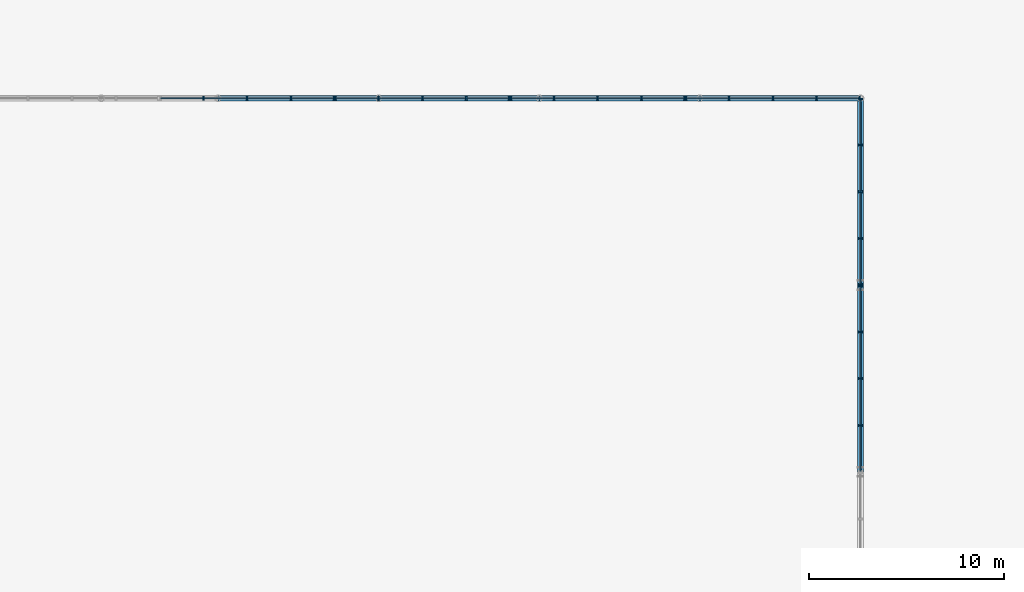
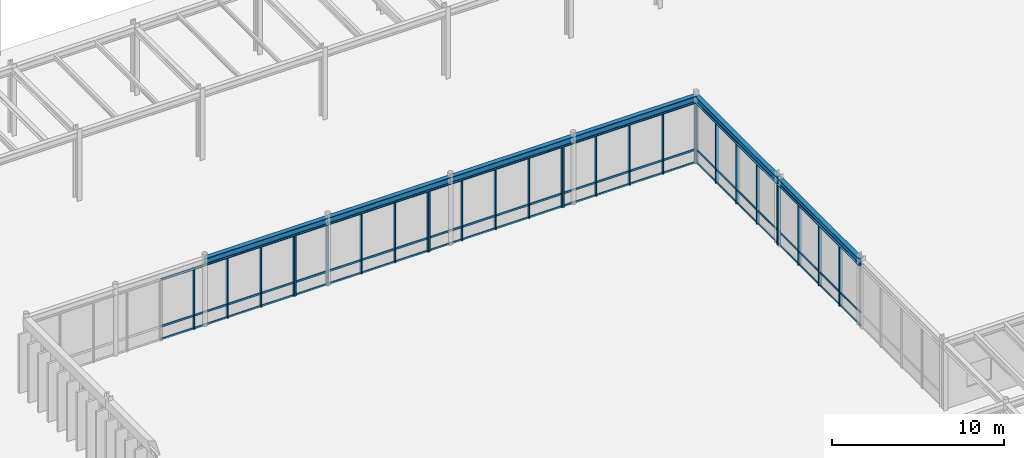
# One storey, part 26 of 64: 46 members, 6 beams, 6 elements without a shape of their own.
"""IFC4 building model written with IfcOpenShell, lengths in metres."""

from ifc_helpers import new_model, si_unit, direction, frame, origin, origin_2d, place, context, subcontext, project, spatial, rectangle, i_section, extrude, material, layer, layer_set, material_profile, profile_set, type_object, element, aggregate, save


model = new_model("IFC4")

# Units and contexts
model_context = context("Model", 3, precision=1e-05, world=origin(), true_north=direction((0.0, 1.0)))
body_context = subcontext(model_context, "Body", "Model", "MODEL_VIEW")
ifc_project = project(units=[si_unit("LENGTHUNIT", "METRE"), si_unit("AREAUNIT", "SQUARE_METRE"), si_unit("VOLUMEUNIT", "CUBIC_METRE"), si_unit("PLANEANGLEUNIT", "RADIAN"), si_unit("MASSUNIT", "GRAM", prefix="KILO")], contexts=[model_context])

# Site, building, storey
site_placement = place(None, origin())
site = spatial("IfcSite", under=ifc_project, at=site_placement, CompositionType="ELEMENT")
building_placement = place(site_placement, origin())
building = spatial("IfcBuilding", under=site, at=building_placement, Name="Montealbar Specialist Clinic", CompositionType="ELEMENT")
storey_placement = place(building_placement, origin())
storey = spatial("IfcBuildingStorey", under=building, at=storey_placement, Name="L00", CompositionType="ELEMENT", Elevation=0.0)

# Beams
ifc_material_1 = material(Name="Steel S355", Category="steel")
ifc_material_profile_1 = material_profile(ifc_material_1, i_section(OverallWidth=0.300048828125, OverallDepth=0.5, WebThickness=0.014404296875, FlangeThickness=0.028076171875, FilletRadius=0.027099609375, at=origin_2d()), Name="HEB 500", Category="steel")
ifc_profile_set_1 = profile_set([ifc_material_profile_1], Name="Steel S355")
beam_type = type_object("IfcBeamType", Name="BM-GIRD-HEB500-EXT", PredefinedType="BEAM", material=ifc_profile_set_1)
for number, where, z_axis, x_axis, name in (
    (1, (66.0, 81.0, 4.56005859375), (1.0, 0.0, 0.0), (0.0, 1.0, 0.0), "Beam GX-L00-660-742-810"),
    (2, (74.25, 81.0, 4.56005859375), (1.0, 0.0, 0.0), (0.0, 1.0, 0.0), "Beam GX-L00-742-825-810"),
    (3, (82.5, 81.0, 4.56005859375), (1.0, 0.0, 0.0), (0.0, 1.0, 0.0), "Beam GX-L00-825-908-810"),
    (4, (90.75, 81.0, 4.56005859375), (1.0, 0.0, 0.0), (0.0, 1.0, 0.0), "Beam GX-L00-908-990-810"),
):
    element("IfcBeam", number, at=place(storey_placement, frame(where, z_axis=z_axis, x_axis=x_axis)), inside=storey, type_object=beam_type, Name=name, PredefinedType="BEAM", context=body_context, shape_type="SweptSolid", body=[
        extrude(i_section(OverallWidth=0.300048828125, OverallDepth=0.5, WebThickness=0.014404296875, FlangeThickness=0.028076171875, FilletRadius=0.027099609375, at=origin_2d()), origin(), (0.0, 0.0, 1.0), 8.25),
    ])
beam_1_placement = place(storey_placement, frame((99.0, 61.800048828125, 4.56005859375), z_axis=(0.0, 1.0, 0.0), x_axis=(-1.0, 0.0, 0.0)))
element("IfcBeam", 5, at=beam_1_placement, inside=storey, type_object=beam_type, Name="Beam GY-L00-990-618-714", PredefinedType="BEAM", context=body_context, shape_type="SweptSolid", body=[
    extrude(i_section(OverallWidth=0.300048828125, OverallDepth=0.5, WebThickness=0.014404296875, FlangeThickness=0.028076171875, FilletRadius=0.027099609375, at=origin_2d()), origin(), (0.0, 0.0, 1.0), 9.599853515625),
])
beam_2_placement = place(storey_placement, frame((99.0, 71.39990234375, 4.56005859375), z_axis=(0.0, 1.0, 0.0), x_axis=(-1.0, 0.0, 0.0)))
element("IfcBeam", 6, at=beam_2_placement, inside=storey, type_object=beam_type, Name="Beam GY-L00-990-714-810", PredefinedType="BEAM", context=body_context, shape_type="SweptSolid", body=[
    extrude(i_section(OverallWidth=0.300048828125, OverallDepth=0.5, WebThickness=0.014404296875, FlangeThickness=0.028076171875, FilletRadius=0.027099609375, at=origin_2d()), origin(), (0.0, 0.0, 1.0), 9.60009765625),
])

# Curtain wall, members
ifc_material_2 = material(Name="Low-E double glazing", Category="glass")
ifc_layer_1 = layer(ifc_material_2, 0.199951171875, Name="Low-E double glazing", Category="glass")
ifc_layer_set_1 = layer_set([ifc_layer_1], Name="Low-E double glazing")
curtain_wall_type_1 = type_object("IfcCurtainWallType", Name="CW-TYPE-02", PredefinedType="NOTDEFINED", material=ifc_layer_set_1)
curtain_wall_1_placement = place(storey_placement, origin())
curtain_wall_1 = element("IfcCurtainWall", 7, at=curtain_wall_1_placement, inside=storey, type_object=curtain_wall_type_1, Name="Unitised Curtain Wall CW-L00-630-810-720-810-0", PredefinedType="NOTDEFINED")
ifc_material_3 = material(Name="Anodised aluminium EN AW-6063", Category="aluminium")
ifc_material_profile_2 = material_profile(ifc_material_3, rectangle(XDim=0.080078125, YDim=0.219970703125, at=origin_2d()), Name="ALU 80x220", Category="aluminium")
ifc_profile_set_2 = profile_set([ifc_material_profile_2], Name="Anodised aluminium EN AW-6063")
member_type_1 = type_object("IfcMemberType", Name="CW-MUL-220", PredefinedType="MULLION", material=ifc_profile_set_2)
member_1_placement = place(storey_placement, frame((65.25, 81.0, 0.0), z_axis=(0.0, 0.0, 1.0), x_axis=(1.0, 0.0, 0.0)))
member_1 = element("IfcMember", 8, at=member_1_placement, type_object=member_type_1, Name="Curtain Wall Mullion CW-L00-630-810-720-810-0-01", PredefinedType="MULLION", context=body_context, shape_type="SweptSolid", body=[
    extrude(rectangle(XDim=0.080078125, YDim=0.219970703125, at=origin_2d()), origin(), (0.0, 0.0, 1.0), 4.31005859375),
])
member_2_placement = place(storey_placement, frame((67.5, 81.0, 0.0), z_axis=(0.0, 0.0, 1.0), x_axis=(1.0, 0.0, 0.0)))
member_2 = element("IfcMember", 9, at=member_2_placement, type_object=member_type_1, Name="Curtain Wall Mullion CW-L00-630-810-720-810-0-02", PredefinedType="MULLION", context=body_context, shape_type="SweptSolid", body=[
    extrude(rectangle(XDim=0.080078125, YDim=0.219970703125, at=origin_2d()), origin(), (0.0, 0.0, 1.0), 4.31005859375),
])
member_3_placement = place(storey_placement, frame((69.75, 81.0, 0.0), z_axis=(0.0, 0.0, 1.0), x_axis=(1.0, 0.0, 0.0)))
member_3 = element("IfcMember", 10, at=member_3_placement, type_object=member_type_1, Name="Curtain Wall Mullion CW-L00-630-810-720-810-0-03", PredefinedType="MULLION", context=body_context, shape_type="SweptSolid", body=[
    extrude(rectangle(XDim=0.080078125, YDim=0.219970703125, at=origin_2d()), origin(), (0.0, 0.0, 1.0), 4.31005859375),
])
member_4_placement = place(storey_placement, frame((71.955078125, 81.0, 0.0), z_axis=(0.0, 0.0, 1.0), x_axis=(1.0, 0.0, 0.0)))
member_4 = element("IfcMember", 11, at=member_4_placement, type_object=member_type_1, Name="Curtain Wall Mullion CW-L00-630-810-720-810-0-04", PredefinedType="MULLION", context=body_context, shape_type="SweptSolid", body=[
    extrude(rectangle(XDim=0.080078125, YDim=0.219970703125, at=origin_2d()), origin(), (0.0, 0.0, 1.0), 4.31005859375),
])

curtain_wall_2_placement = place(storey_placement, origin())
curtain_wall_2 = element("IfcCurtainWall", 12, at=curtain_wall_2_placement, inside=storey, type_object=curtain_wall_type_1, Name="Unitised Curtain Wall CW-L00-720-810-810-810-0", PredefinedType="NOTDEFINED")
member_5_placement = place(storey_placement, frame((72.044921875, 81.0, 0.0), z_axis=(0.0, 0.0, 1.0), x_axis=(1.0, 0.0, 0.0)))
member_5 = element("IfcMember", 13, at=member_5_placement, type_object=member_type_1, Name="Curtain Wall Mullion CW-L00-720-810-810-810-0-00", PredefinedType="MULLION", context=body_context, shape_type="SweptSolid", body=[
    extrude(rectangle(XDim=0.080078125, YDim=0.219970703125, at=origin_2d()), origin(), (0.0, 0.0, 1.0), 4.31005859375),
])
member_6_placement = place(storey_placement, frame((74.25, 81.0, 0.0), z_axis=(0.0, 0.0, 1.0), x_axis=(1.0, 0.0, 0.0)))
member_6 = element("IfcMember", 14, at=member_6_placement, type_object=member_type_1, Name="Curtain Wall Mullion CW-L00-720-810-810-810-0-01", PredefinedType="MULLION", context=body_context, shape_type="SweptSolid", body=[
    extrude(rectangle(XDim=0.080078125, YDim=0.219970703125, at=origin_2d()), origin(), (0.0, 0.0, 1.0), 4.31005859375),
])
member_7_placement = place(storey_placement, frame((76.5, 81.0, 0.0), z_axis=(0.0, 0.0, 1.0), x_axis=(1.0, 0.0, 0.0)))
member_7 = element("IfcMember", 15, at=member_7_placement, type_object=member_type_1, Name="Curtain Wall Mullion CW-L00-720-810-810-810-0-02", PredefinedType="MULLION", context=body_context, shape_type="SweptSolid", body=[
    extrude(rectangle(XDim=0.080078125, YDim=0.219970703125, at=origin_2d()), origin(), (0.0, 0.0, 1.0), 4.31005859375),
])
member_8_placement = place(storey_placement, frame((78.75, 81.0, 0.0), z_axis=(0.0, 0.0, 1.0), x_axis=(1.0, 0.0, 0.0)))
member_8 = element("IfcMember", 16, at=member_8_placement, type_object=member_type_1, Name="Curtain Wall Mullion CW-L00-720-810-810-810-0-03", PredefinedType="MULLION", context=body_context, shape_type="SweptSolid", body=[
    extrude(rectangle(XDim=0.080078125, YDim=0.219970703125, at=origin_2d()), origin(), (0.0, 0.0, 1.0), 4.31005859375),
])
member_9_placement = place(storey_placement, frame((80.955078125, 81.0, 0.0), z_axis=(0.0, 0.0, 1.0), x_axis=(1.0, 0.0, 0.0)))
member_9 = element("IfcMember", 17, at=member_9_placement, type_object=member_type_1, Name="Curtain Wall Mullion CW-L00-720-810-810-810-0-04", PredefinedType="MULLION", context=body_context, shape_type="SweptSolid", body=[
    extrude(rectangle(XDim=0.080078125, YDim=0.219970703125, at=origin_2d()), origin(), (0.0, 0.0, 1.0), 4.31005859375),
])

curtain_wall_3_placement = place(storey_placement, origin())
curtain_wall_3 = element("IfcCurtainWall", 18, at=curtain_wall_3_placement, inside=storey, type_object=curtain_wall_type_1, Name="Unitised Curtain Wall CW-L00-810-810-900-810-0", PredefinedType="NOTDEFINED")
member_10_placement = place(storey_placement, frame((81.044921875, 81.0, 0.0), z_axis=(0.0, 0.0, 1.0), x_axis=(1.0, 0.0, 0.0)))
member_10 = element("IfcMember", 19, at=member_10_placement, type_object=member_type_1, Name="Curtain Wall Mullion CW-L00-810-810-900-810-0-00", PredefinedType="MULLION", context=body_context, shape_type="SweptSolid", body=[
    extrude(rectangle(XDim=0.080078125, YDim=0.219970703125, at=origin_2d()), origin(), (0.0, 0.0, 1.0), 4.31005859375),
])
member_11_placement = place(storey_placement, frame((83.25, 81.0, 0.0), z_axis=(0.0, 0.0, 1.0), x_axis=(1.0, 0.0, 0.0)))
member_11 = element("IfcMember", 20, at=member_11_placement, type_object=member_type_1, Name="Curtain Wall Mullion CW-L00-810-810-900-810-0-01", PredefinedType="MULLION", context=body_context, shape_type="SweptSolid", body=[
    extrude(rectangle(XDim=0.080078125, YDim=0.219970703125, at=origin_2d()), origin(), (0.0, 0.0, 1.0), 4.31005859375),
])
member_12_placement = place(storey_placement, frame((85.5, 81.0, 0.0), z_axis=(0.0, 0.0, 1.0), x_axis=(1.0, 0.0, 0.0)))
member_12 = element("IfcMember", 21, at=member_12_placement, type_object=member_type_1, Name="Curtain Wall Mullion CW-L00-810-810-900-810-0-02", PredefinedType="MULLION", context=body_context, shape_type="SweptSolid", body=[
    extrude(rectangle(XDim=0.080078125, YDim=0.219970703125, at=origin_2d()), origin(), (0.0, 0.0, 1.0), 4.31005859375),
])
member_13_placement = place(storey_placement, frame((87.75, 81.0, 0.0), z_axis=(0.0, 0.0, 1.0), x_axis=(1.0, 0.0, 0.0)))
member_13 = element("IfcMember", 22, at=member_13_placement, type_object=member_type_1, Name="Curtain Wall Mullion CW-L00-810-810-900-810-0-03", PredefinedType="MULLION", context=body_context, shape_type="SweptSolid", body=[
    extrude(rectangle(XDim=0.080078125, YDim=0.219970703125, at=origin_2d()), origin(), (0.0, 0.0, 1.0), 4.31005859375),
])
member_14_placement = place(storey_placement, frame((89.955078125, 81.0, 0.0), z_axis=(0.0, 0.0, 1.0), x_axis=(1.0, 0.0, 0.0)))
member_14 = element("IfcMember", 23, at=member_14_placement, type_object=member_type_1, Name="Curtain Wall Mullion CW-L00-810-810-900-810-0-04", PredefinedType="MULLION", context=body_context, shape_type="SweptSolid", body=[
    extrude(rectangle(XDim=0.080078125, YDim=0.219970703125, at=origin_2d()), origin(), (0.0, 0.0, 1.0), 4.31005859375),
])

curtain_wall_4_placement = place(storey_placement, origin())
curtain_wall_4 = element("IfcCurtainWall", 24, at=curtain_wall_4_placement, inside=storey, type_object=curtain_wall_type_1, Name="Unitised Curtain Wall CW-L00-900-810-990-810-0", PredefinedType="NOTDEFINED")
member_15_placement = place(storey_placement, frame((90.044921875, 81.0, 0.0), z_axis=(0.0, 0.0, 1.0), x_axis=(1.0, 0.0, 0.0)))
member_15 = element("IfcMember", 25, at=member_15_placement, type_object=member_type_1, Name="Curtain Wall Mullion CW-L00-900-810-990-810-0-00", PredefinedType="MULLION", context=body_context, shape_type="SweptSolid", body=[
    extrude(rectangle(XDim=0.080078125, YDim=0.219970703125, at=origin_2d()), origin(), (0.0, 0.0, 1.0), 4.31005859375),
])
member_16_placement = place(storey_placement, frame((92.25, 81.0, 0.0), z_axis=(0.0, 0.0, 1.0), x_axis=(1.0, 0.0, 0.0)))
member_16 = element("IfcMember", 26, at=member_16_placement, type_object=member_type_1, Name="Curtain Wall Mullion CW-L00-900-810-990-810-0-01", PredefinedType="MULLION", context=body_context, shape_type="SweptSolid", body=[
    extrude(rectangle(XDim=0.080078125, YDim=0.219970703125, at=origin_2d()), origin(), (0.0, 0.0, 1.0), 4.31005859375),
])
member_17_placement = place(storey_placement, frame((94.5, 81.0, 0.0), z_axis=(0.0, 0.0, 1.0), x_axis=(1.0, 0.0, 0.0)))
member_17 = element("IfcMember", 27, at=member_17_placement, type_object=member_type_1, Name="Curtain Wall Mullion CW-L00-900-810-990-810-0-02", PredefinedType="MULLION", context=body_context, shape_type="SweptSolid", body=[
    extrude(rectangle(XDim=0.080078125, YDim=0.219970703125, at=origin_2d()), origin(), (0.0, 0.0, 1.0), 4.31005859375),
])
member_18_placement = place(storey_placement, frame((96.75, 81.0, 0.0), z_axis=(0.0, 0.0, 1.0), x_axis=(1.0, 0.0, 0.0)))
member_18 = element("IfcMember", 28, at=member_18_placement, type_object=member_type_1, Name="Curtain Wall Mullion CW-L00-900-810-990-810-0-03", PredefinedType="MULLION", context=body_context, shape_type="SweptSolid", body=[
    extrude(rectangle(XDim=0.080078125, YDim=0.219970703125, at=origin_2d()), origin(), (0.0, 0.0, 1.0), 4.31005859375),
])
member_19_placement = place(storey_placement, frame((98.955078125, 81.0, 0.0), z_axis=(0.0, 0.0, 1.0), x_axis=(1.0, 0.0, 0.0)))
member_19 = element("IfcMember", 29, at=member_19_placement, type_object=member_type_1, Name="Curtain Wall Mullion CW-L00-900-810-990-810-0-04", PredefinedType="MULLION", context=body_context, shape_type="SweptSolid", body=[
    extrude(rectangle(XDim=0.080078125, YDim=0.219970703125, at=origin_2d()), origin(), (0.0, 0.0, 1.0), 4.31005859375),
])

ifc_layer_2 = layer(ifc_material_2, 0.199951171875, Name="Low-E double glazing", Category="glass")
ifc_layer_set_2 = layer_set([ifc_layer_2], Name="Low-E double glazing")
curtain_wall_type_2 = type_object("IfcCurtainWallType", Name="CW-TYPE-03", PredefinedType="NOTDEFINED", material=ifc_layer_set_2)
curtain_wall_5_placement = place(storey_placement, origin())
curtain_wall_5 = element("IfcCurtainWall", 30, at=curtain_wall_5_placement, inside=storey, type_object=curtain_wall_type_2, Name="Unitised Curtain Wall CW-L00-990-810-990-714-0", PredefinedType="NOTDEFINED")
member_20_placement = place(storey_placement, frame((99.0, 80.955078125, 0.0), z_axis=(0.0, 0.0, 1.0), x_axis=(0.0, -1.0, 0.0)))
member_20 = element("IfcMember", 31, at=member_20_placement, type_object=member_type_1, Name="Curtain Wall Mullion CW-L00-990-810-990-714-0-00", PredefinedType="MULLION", context=body_context, shape_type="SweptSolid", body=[
    extrude(rectangle(XDim=0.080078125, YDim=0.219970703125, at=origin_2d()), origin(), (0.0, 0.0, 1.0), 4.31005859375),
])
member_21_placement = place(storey_placement, frame((99.0, 78.60009765625, 0.0), z_axis=(0.0, 0.0, 1.0), x_axis=(0.0, -1.0, 0.0)))
member_21 = element("IfcMember", 32, at=member_21_placement, type_object=member_type_1, Name="Curtain Wall Mullion CW-L00-990-810-990-714-0-01", PredefinedType="MULLION", context=body_context, shape_type="SweptSolid", body=[
    extrude(rectangle(XDim=0.080078125, YDim=0.219970703125, at=origin_2d()), origin(), (0.0, 0.0, 1.0), 4.31005859375),
])
member_22_placement = place(storey_placement, frame((99.0, 76.199951171875, 0.0), z_axis=(0.0, 0.0, 1.0), x_axis=(0.0, -1.0, 0.0)))
member_22 = element("IfcMember", 33, at=member_22_placement, type_object=member_type_1, Name="Curtain Wall Mullion CW-L00-990-810-990-714-0-02", PredefinedType="MULLION", context=body_context, shape_type="SweptSolid", body=[
    extrude(rectangle(XDim=0.080078125, YDim=0.219970703125, at=origin_2d()), origin(), (0.0, 0.0, 1.0), 4.31005859375),
])
member_23_placement = place(storey_placement, frame((99.0, 73.800048828125, 0.0), z_axis=(0.0, 0.0, 1.0), x_axis=(0.0, -1.0, 0.0)))
member_23 = element("IfcMember", 34, at=member_23_placement, type_object=member_type_1, Name="Curtain Wall Mullion CW-L00-990-810-990-714-0-03", PredefinedType="MULLION", context=body_context, shape_type="SweptSolid", body=[
    extrude(rectangle(XDim=0.080078125, YDim=0.219970703125, at=origin_2d()), origin(), (0.0, 0.0, 1.0), 4.31005859375),
])
member_24_placement = place(storey_placement, frame((99.0, 71.445068359375, 0.0), z_axis=(0.0, 0.0, 1.0), x_axis=(0.0, -1.0, 0.0)))
member_24 = element("IfcMember", 35, at=member_24_placement, type_object=member_type_1, Name="Curtain Wall Mullion CW-L00-990-810-990-714-0-04", PredefinedType="MULLION", context=body_context, shape_type="SweptSolid", body=[
    extrude(rectangle(XDim=0.080078125, YDim=0.219970703125, at=origin_2d()), origin(), (0.0, 0.0, 1.0), 4.31005859375),
])

curtain_wall_6_placement = place(storey_placement, origin())
curtain_wall_6 = element("IfcCurtainWall", 36, at=curtain_wall_6_placement, inside=storey, type_object=curtain_wall_type_2, Name="Unitised Curtain Wall CW-L00-990-714-990-618-0", PredefinedType="NOTDEFINED")
member_25_placement = place(storey_placement, frame((99.0, 71.35498046875, 0.0), z_axis=(0.0, 0.0, 1.0), x_axis=(0.0, -1.0, 0.0)))
member_25 = element("IfcMember", 37, at=member_25_placement, type_object=member_type_1, Name="Curtain Wall Mullion CW-L00-990-714-990-618-0-00", PredefinedType="MULLION", context=body_context, shape_type="SweptSolid", body=[
    extrude(rectangle(XDim=0.080078125, YDim=0.219970703125, at=origin_2d()), origin(), (0.0, 0.0, 1.0), 4.31005859375),
])
member_26_placement = place(storey_placement, frame((99.0, 69.0, 0.0), z_axis=(0.0, 0.0, 1.0), x_axis=(0.0, -1.0, 0.0)))
member_26 = element("IfcMember", 38, at=member_26_placement, type_object=member_type_1, Name="Curtain Wall Mullion CW-L00-990-714-990-618-0-01", PredefinedType="MULLION", context=body_context, shape_type="SweptSolid", body=[
    extrude(rectangle(XDim=0.080078125, YDim=0.219970703125, at=origin_2d()), origin(), (0.0, 0.0, 1.0), 4.31005859375),
])
member_27_placement = place(storey_placement, frame((99.0, 66.60009765625, 0.0), z_axis=(0.0, 0.0, 1.0), x_axis=(0.0, -1.0, 0.0)))
member_27 = element("IfcMember", 39, at=member_27_placement, type_object=member_type_1, Name="Curtain Wall Mullion CW-L00-990-714-990-618-0-02", PredefinedType="MULLION", context=body_context, shape_type="SweptSolid", body=[
    extrude(rectangle(XDim=0.080078125, YDim=0.219970703125, at=origin_2d()), origin(), (0.0, 0.0, 1.0), 4.31005859375),
])
member_28_placement = place(storey_placement, frame((99.0, 64.199951171875, 0.0), z_axis=(0.0, 0.0, 1.0), x_axis=(0.0, -1.0, 0.0)))
member_28 = element("IfcMember", 40, at=member_28_placement, type_object=member_type_1, Name="Curtain Wall Mullion CW-L00-990-714-990-618-0-03", PredefinedType="MULLION", context=body_context, shape_type="SweptSolid", body=[
    extrude(rectangle(XDim=0.080078125, YDim=0.219970703125, at=origin_2d()), origin(), (0.0, 0.0, 1.0), 4.31005859375),
])

# Member
ifc_material_4 = material(Name="Powder-coated aluminium", Category="aluminium")
ifc_material_profile_3 = material_profile(ifc_material_4, rectangle(XDim=0.070068359375, YDim=0.139892578125, at=origin_2d()), Name="ALU 70x140", Category="aluminium")
ifc_profile_set_3 = profile_set([ifc_material_profile_3], Name="Powder-coated aluminium")
member_type_2 = type_object("IfcMemberType", Name="CW-TRN-140", PredefinedType="USERDEFINED", material=ifc_profile_set_3)
member_29_placement = place(storey_placement, frame((63.050048828125, 81.0, 0.0400390625), z_axis=(1.0, 0.0, 0.0), x_axis=(0.0, 1.0, 0.0)))
member_29 = element("IfcMember", 41, at=member_29_placement, type_object=member_type_2, Name="Curtain Wall Transom CW-L00-630-810-720-810-0-00", ObjectType="TRANSOM", PredefinedType="USERDEFINED", context=body_context, shape_type="SweptSolid", body=[
    extrude(rectangle(XDim=0.070068359375, YDim=0.139892578125, at=origin_2d()), origin(), (0.0, 0.0, 1.0), 8.89990234375),
])

member_30_placement = place(storey_placement, frame((63.050048828125, 81.0, 0.949951171875), z_axis=(1.0, 0.0, 0.0), x_axis=(0.0, 1.0, 0.0)))
member_30 = element("IfcMember", 42, at=member_30_placement, type_object=member_type_2, Name="Curtain Wall Transom CW-L00-630-810-720-810-0-01", ObjectType="TRANSOM", PredefinedType="USERDEFINED", context=body_context, shape_type="SweptSolid", body=[
    extrude(rectangle(XDim=0.070068359375, YDim=0.139892578125, at=origin_2d()), origin(), (0.0, 0.0, 1.0), 8.89990234375),
])

member_31_placement = place(storey_placement, frame((63.050048828125, 81.0, 4.27001953125), z_axis=(1.0, 0.0, 0.0), x_axis=(0.0, 1.0, 0.0)))
member_31 = element("IfcMember", 43, at=member_31_placement, type_object=member_type_2, Name="Curtain Wall Transom CW-L00-630-810-720-810-0-02", ObjectType="TRANSOM", PredefinedType="USERDEFINED", context=body_context, shape_type="SweptSolid", body=[
    extrude(rectangle(XDim=0.070068359375, YDim=0.139892578125, at=origin_2d()), origin(), (0.0, 0.0, 1.0), 8.89990234375),
])

aggregate(curtain_wall_1, [member_1, member_2, member_3, member_4, member_29, member_30, member_31])

member_32_placement = place(storey_placement, frame((72.050048828125, 81.0, 0.0400390625), z_axis=(1.0, 0.0, 0.0), x_axis=(0.0, 1.0, 0.0)))
member_32 = element("IfcMember", 44, at=member_32_placement, type_object=member_type_2, Name="Curtain Wall Transom CW-L00-720-810-810-810-0-00", ObjectType="TRANSOM", PredefinedType="USERDEFINED", context=body_context, shape_type="SweptSolid", body=[
    extrude(rectangle(XDim=0.070068359375, YDim=0.139892578125, at=origin_2d()), origin(), (0.0, 0.0, 1.0), 8.89990234375),
])

member_33_placement = place(storey_placement, frame((72.050048828125, 81.0, 0.949951171875), z_axis=(1.0, 0.0, 0.0), x_axis=(0.0, 1.0, 0.0)))
member_33 = element("IfcMember", 45, at=member_33_placement, type_object=member_type_2, Name="Curtain Wall Transom CW-L00-720-810-810-810-0-01", ObjectType="TRANSOM", PredefinedType="USERDEFINED", context=body_context, shape_type="SweptSolid", body=[
    extrude(rectangle(XDim=0.070068359375, YDim=0.139892578125, at=origin_2d()), origin(), (0.0, 0.0, 1.0), 8.89990234375),
])

member_34_placement = place(storey_placement, frame((72.050048828125, 81.0, 4.27001953125), z_axis=(1.0, 0.0, 0.0), x_axis=(0.0, 1.0, 0.0)))
member_34 = element("IfcMember", 46, at=member_34_placement, type_object=member_type_2, Name="Curtain Wall Transom CW-L00-720-810-810-810-0-02", ObjectType="TRANSOM", PredefinedType="USERDEFINED", context=body_context, shape_type="SweptSolid", body=[
    extrude(rectangle(XDim=0.070068359375, YDim=0.139892578125, at=origin_2d()), origin(), (0.0, 0.0, 1.0), 8.89990234375),
])

aggregate(curtain_wall_2, [member_5, member_6, member_7, member_8, member_9, member_32, member_33, member_34])

member_35_placement = place(storey_placement, frame((81.050048828125, 81.0, 0.0400390625), z_axis=(1.0, 0.0, 0.0), x_axis=(0.0, 1.0, 0.0)))
member_35 = element("IfcMember", 47, at=member_35_placement, type_object=member_type_2, Name="Curtain Wall Transom CW-L00-810-810-900-810-0-00", ObjectType="TRANSOM", PredefinedType="USERDEFINED", context=body_context, shape_type="SweptSolid", body=[
    extrude(rectangle(XDim=0.070068359375, YDim=0.139892578125, at=origin_2d()), origin(), (0.0, 0.0, 1.0), 8.89990234375),
])

member_36_placement = place(storey_placement, frame((81.050048828125, 81.0, 0.949951171875), z_axis=(1.0, 0.0, 0.0), x_axis=(0.0, 1.0, 0.0)))
member_36 = element("IfcMember", 48, at=member_36_placement, type_object=member_type_2, Name="Curtain Wall Transom CW-L00-810-810-900-810-0-01", ObjectType="TRANSOM", PredefinedType="USERDEFINED", context=body_context, shape_type="SweptSolid", body=[
    extrude(rectangle(XDim=0.070068359375, YDim=0.139892578125, at=origin_2d()), origin(), (0.0, 0.0, 1.0), 8.89990234375),
])

member_37_placement = place(storey_placement, frame((81.050048828125, 81.0, 4.27001953125), z_axis=(1.0, 0.0, 0.0), x_axis=(0.0, 1.0, 0.0)))
member_37 = element("IfcMember", 49, at=member_37_placement, type_object=member_type_2, Name="Curtain Wall Transom CW-L00-810-810-900-810-0-02", ObjectType="TRANSOM", PredefinedType="USERDEFINED", context=body_context, shape_type="SweptSolid", body=[
    extrude(rectangle(XDim=0.070068359375, YDim=0.139892578125, at=origin_2d()), origin(), (0.0, 0.0, 1.0), 8.89990234375),
])

aggregate(curtain_wall_3, [member_10, member_11, member_12, member_13, member_14, member_35, member_36, member_37])

member_38_placement = place(storey_placement, frame((90.050048828125, 81.0, 0.0400390625), z_axis=(1.0, 0.0, 0.0), x_axis=(0.0, 1.0, 0.0)))
member_38 = element("IfcMember", 50, at=member_38_placement, type_object=member_type_2, Name="Curtain Wall Transom CW-L00-900-810-990-810-0-00", ObjectType="TRANSOM", PredefinedType="USERDEFINED", context=body_context, shape_type="SweptSolid", body=[
    extrude(rectangle(XDim=0.070068359375, YDim=0.139892578125, at=origin_2d()), origin(), (0.0, 0.0, 1.0), 8.89990234375),
])

member_39_placement = place(storey_placement, frame((90.050048828125, 81.0, 0.949951171875), z_axis=(1.0, 0.0, 0.0), x_axis=(0.0, 1.0, 0.0)))
member_39 = element("IfcMember", 51, at=member_39_placement, type_object=member_type_2, Name="Curtain Wall Transom CW-L00-900-810-990-810-0-01", ObjectType="TRANSOM", PredefinedType="USERDEFINED", context=body_context, shape_type="SweptSolid", body=[
    extrude(rectangle(XDim=0.070068359375, YDim=0.139892578125, at=origin_2d()), origin(), (0.0, 0.0, 1.0), 8.89990234375),
])

member_40_placement = place(storey_placement, frame((90.050048828125, 81.0, 4.27001953125), z_axis=(1.0, 0.0, 0.0), x_axis=(0.0, 1.0, 0.0)))
member_40 = element("IfcMember", 52, at=member_40_placement, type_object=member_type_2, Name="Curtain Wall Transom CW-L00-900-810-990-810-0-02", ObjectType="TRANSOM", PredefinedType="USERDEFINED", context=body_context, shape_type="SweptSolid", body=[
    extrude(rectangle(XDim=0.070068359375, YDim=0.139892578125, at=origin_2d()), origin(), (0.0, 0.0, 1.0), 8.89990234375),
])

aggregate(curtain_wall_4, [member_15, member_16, member_17, member_18, member_19, member_38, member_39, member_40])

member_41_placement = place(storey_placement, frame((99.0, 80.949951171875, 0.0400390625), z_axis=(0.0, -1.0, 0.0), x_axis=(1.0, 0.0, 0.0)))
member_41 = element("IfcMember", 53, at=member_41_placement, type_object=member_type_2, Name="Curtain Wall Transom CW-L00-990-810-990-714-0-00", ObjectType="TRANSOM", PredefinedType="USERDEFINED", context=body_context, shape_type="SweptSolid", body=[
    extrude(rectangle(XDim=0.070068359375, YDim=0.139892578125, at=origin_2d()), origin(), (0.0, 0.0, 1.0), 9.5),
])

member_42_placement = place(storey_placement, frame((99.0, 80.949951171875, 0.949951171875), z_axis=(0.0, -1.0, 0.0), x_axis=(1.0, 0.0, 0.0)))
member_42 = element("IfcMember", 54, at=member_42_placement, type_object=member_type_2, Name="Curtain Wall Transom CW-L00-990-810-990-714-0-01", ObjectType="TRANSOM", PredefinedType="USERDEFINED", context=body_context, shape_type="SweptSolid", body=[
    extrude(rectangle(XDim=0.070068359375, YDim=0.139892578125, at=origin_2d()), origin(), (0.0, 0.0, 1.0), 9.5),
])

member_43_placement = place(storey_placement, frame((99.0, 80.949951171875, 4.27001953125), z_axis=(0.0, -1.0, 0.0), x_axis=(1.0, 0.0, 0.0)))
member_43 = element("IfcMember", 55, at=member_43_placement, type_object=member_type_2, Name="Curtain Wall Transom CW-L00-990-810-990-714-0-02", ObjectType="TRANSOM", PredefinedType="USERDEFINED", context=body_context, shape_type="SweptSolid", body=[
    extrude(rectangle(XDim=0.070068359375, YDim=0.139892578125, at=origin_2d()), origin(), (0.0, 0.0, 1.0), 9.5),
])

aggregate(curtain_wall_5, [member_20, member_21, member_22, member_23, member_24, member_41, member_42, member_43])

member_44_placement = place(storey_placement, frame((99.0, 71.35009765625, 0.0400390625), z_axis=(0.0, -1.0, 0.0), x_axis=(1.0, 0.0, 0.0)))
member_44 = element("IfcMember", 56, at=member_44_placement, type_object=member_type_2, Name="Curtain Wall Transom CW-L00-990-714-990-618-0-00", ObjectType="TRANSOM", PredefinedType="USERDEFINED", context=body_context, shape_type="SweptSolid", body=[
    extrude(rectangle(XDim=0.070068359375, YDim=0.139892578125, at=origin_2d()), origin(), (0.0, 0.0, 1.0), 9.5),
])

member_45_placement = place(storey_placement, frame((99.0, 71.35009765625, 0.949951171875), z_axis=(0.0, -1.0, 0.0), x_axis=(1.0, 0.0, 0.0)))
member_45 = element("IfcMember", 57, at=member_45_placement, type_object=member_type_2, Name="Curtain Wall Transom CW-L00-990-714-990-618-0-01", ObjectType="TRANSOM", PredefinedType="USERDEFINED", context=body_context, shape_type="SweptSolid", body=[
    extrude(rectangle(XDim=0.070068359375, YDim=0.139892578125, at=origin_2d()), origin(), (0.0, 0.0, 1.0), 9.5),
])

member_46_placement = place(storey_placement, frame((99.0, 71.35009765625, 4.27001953125), z_axis=(0.0, -1.0, 0.0), x_axis=(1.0, 0.0, 0.0)))
member_46 = element("IfcMember", 58, at=member_46_placement, type_object=member_type_2, Name="Curtain Wall Transom CW-L00-990-714-990-618-0-02", ObjectType="TRANSOM", PredefinedType="USERDEFINED", context=body_context, shape_type="SweptSolid", body=[
    extrude(rectangle(XDim=0.070068359375, YDim=0.139892578125, at=origin_2d()), origin(), (0.0, 0.0, 1.0), 9.5),
])

aggregate(curtain_wall_6, [member_25, member_26, member_27, member_28, member_44, member_45, member_46])

save(model, "model.ifc")
